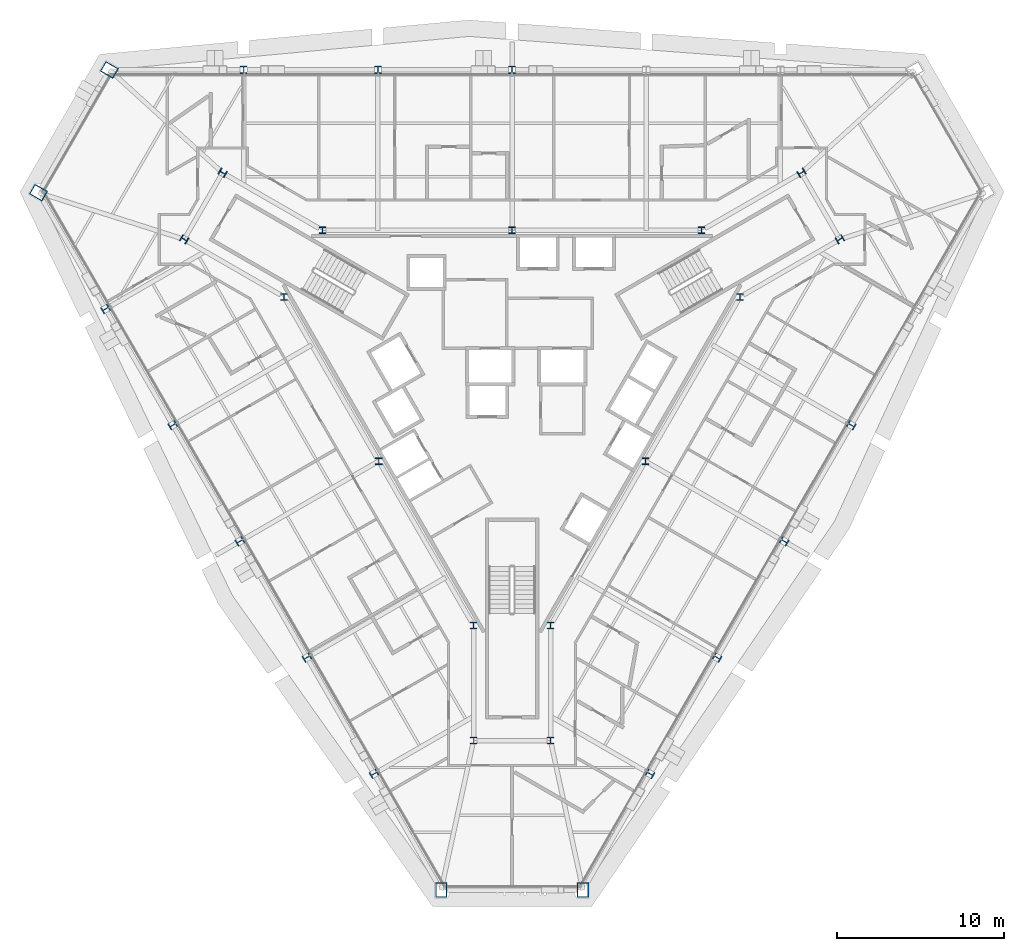
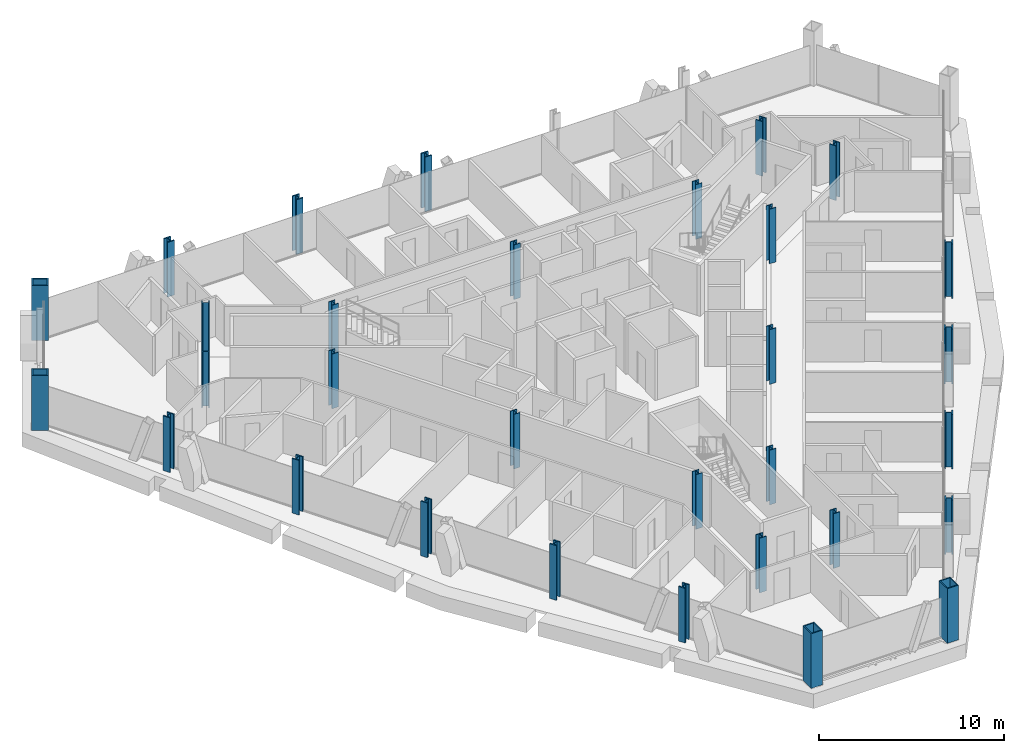
# One storey, part 1 of 16: 31 columns.
"""IFC4 building model written with IfcOpenShell, lengths in metres."""

from ifc_helpers import new_model, si_unit, direction, frame, origin, origin_2d, place, context, subcontext, project, spatial, hollow_rectangle, i_section, extrude, material, material_profile, profile_set, type_object, element, save


model = new_model("IFC4")

# Units and contexts
model_context = context("Model", 3, precision=1e-05, world=origin(), true_north=direction((0.0, 1.0)))
body_context = subcontext(model_context, "Body", "Model", "MODEL_VIEW")
ifc_project = project(units=[si_unit("LENGTHUNIT", "METRE"), si_unit("AREAUNIT", "SQUARE_METRE"), si_unit("VOLUMEUNIT", "CUBIC_METRE"), si_unit("PLANEANGLEUNIT", "RADIAN"), si_unit("MASSUNIT", "GRAM", prefix="KILO")], contexts=[model_context])

# Site, building, storey
site_placement = place(None, origin())
site = spatial("IfcSite", under=ifc_project, at=site_placement, CompositionType="ELEMENT")
building_placement = place(site_placement, origin())
building = spatial("IfcBuilding", under=site, at=building_placement, Name="Verrane Prism Tower", CompositionType="ELEMENT")
storey_placement = place(building_placement, frame((0.0, 0.0, 110.800048828125)))
storey = spatial("IfcBuildingStorey", under=building, at=storey_placement, Name="L26", CompositionType="ELEMENT", Elevation=110.800048828125)

# Columns
ifc_material_1 = material(Name="Steel A992", Category="steel")
ifc_material_profile_1 = material_profile(ifc_material_1, i_section(OverallWidth=0.411376953125, OverallDepth=0.434326171875, WebThickness=0.035888671875, FlangeThickness=0.057373046875, FilletRadius=0.01513671875, at=origin_2d()), Name="W14x311")
ifc_profile_set_1 = profile_set([ifc_material_profile_1], Name="Steel A992")
column_type_1 = type_object("IfcColumnType", Name="Core corner column W14x311", PredefinedType="COLUMN", material=ifc_profile_set_1)
for number, where, z_axis, x_axis, name in (
    (1, (19.60009765625, 8.659912109375, 0.0), (0.0, 0.0, 1.0), (0.5, -0.866025403784, 0.0), "Core corner column CK-NEm L26"),
    (2, (17.300048828125, 12.639892578125, 0.0), (0.0, 0.0, 1.0), (0.5, -0.866025403784, 0.0), "Core corner column CK-NEp L26"),
    (3, (-17.300048828125, 12.639892578125, 0.0), (0.0, 0.0, 1.0), (0.5, 0.866025403784, 0.0), "Core corner column CK-NWm L26"),
    (4, (-19.60009765625, 8.659912109375, 0.0), (0.0, 0.0, 1.0), (0.5, 0.866025403784, 0.0), "Core corner column CK-NWp L26"),
    (5, (-2.300048828125, -21.300048828125, 0.0), (0.0, 0.0, 1.0), (-1.0, 0.0, 0.0), "Core corner column CK-Sm L26"),
    (6, (2.300048828125, -21.300048828125, 0.0), (0.0, 0.0, 1.0), (-1.0, 0.0, 0.0), "Core corner column CK-Sp L26"),
):
    element("IfcColumn", number, at=place(storey_placement, frame(where, z_axis=z_axis, x_axis=x_axis)), inside=storey, type_object=column_type_1, Name=name, PredefinedType="COLUMN", context=body_context, shape_type="SweptSolid", body=[
        extrude(i_section(OverallWidth=0.411376953125, OverallDepth=0.434326171875, WebThickness=0.035888671875, FlangeThickness=0.057373046875, FilletRadius=0.01513671875, at=origin_2d()), origin(), (0.0, 0.0, 1.0), 3.599853515625),
    ])
ifc_material_2 = material(Name="Steel A992", Category="steel")
ifc_material_profile_2 = material_profile(ifc_material_2, i_section(OverallWidth=0.4013671875, OverallDepth=0.398681640625, WebThickness=0.02490234375, FlangeThickness=0.03955078125, FilletRadius=0.01513671875, at=origin_2d()), Name="W14x211")
ifc_profile_set_2 = profile_set([ifc_material_profile_2], Name="Steel A992")
column_type_2 = type_object("IfcColumnType", Name="Core side column W14x211", PredefinedType="COLUMN", material=ifc_profile_set_2)
for number, where, z_axis, x_axis, name in (
    (7, (13.6298828125, 5.219970703125, 0.0), (0.0, 0.0, 1.0), (1.0, 0.0, 0.0), "Core side column CC-NEm L26"),
    (8, (11.330078125, 9.199951171875, 0.0), (0.0, 0.0, 1.0), (1.0, 0.0, 0.0), "Core side column CC-NEp L26"),
    (9, (0.0, 9.199951171875, 0.0), (0.0, 0.0, 1.0), (1.0, 0.0, 0.0), "Core side column CC-N0 L26"),
    (10, (-11.330078125, 9.199951171875, 0.0), (0.0, 0.0, 1.0), (1.0, 0.0, 0.0), "Core side column CC-NWm L26"),
    (11, (-13.6298828125, 5.219970703125, 0.0), (0.0, 0.0, 1.0), (1.0, 0.0, 0.0), "Core side column CC-NWp L26"),
    (12, (-7.969970703125, -4.60009765625, 0.0), (0.0, 0.0, 1.0), (1.0, 0.0, 0.0), "Core side column CC-SW0 L26"),
    (13, (-2.300048828125, -14.419921875, 0.0), (0.0, 0.0, 1.0), (1.0, 0.0, 0.0), "Core side column CC-Sm L26"),
    (14, (2.300048828125, -14.419921875, 0.0), (0.0, 0.0, 1.0), (1.0, 0.0, 0.0), "Core side column CC-Sp L26"),
    (15, (7.969970703125, -4.60009765625, 0.0), (0.0, 0.0, 1.0), (1.0, 0.0, 0.0), "Core side column CC-SE0 L26"),
):
    element("IfcColumn", number, at=place(storey_placement, frame(where, z_axis=z_axis, x_axis=x_axis)), inside=storey, type_object=column_type_2, Name=name, PredefinedType="COLUMN", context=body_context, shape_type="SweptSolid", body=[
        extrude(i_section(OverallWidth=0.4013671875, OverallDepth=0.398681640625, WebThickness=0.02490234375, FlangeThickness=0.03955078125, FilletRadius=0.01513671875, at=origin_2d()), origin(), (0.0, 0.0, 1.0), 3.599853515625),
    ])
ifc_material_3 = material(Name="Steel A572 Grade 50", Category="steel")
ifc_material_profile_3 = material_profile(ifc_material_3, hollow_rectangle(XDim=0.699951171875, YDim=0.89990234375, WallThickness=0.06494140625, at=origin_2d()), Name="BOX 900x700x65")
ifc_profile_set_3 = profile_set([ifc_material_profile_3], Name="Steel A572 Grade 50")
column_type_3 = type_object("IfcColumnType", Name="Megacolumn BOX 900x700x65", PredefinedType="COLUMN", material=ifc_profile_set_3)
for number, where, z_axis, x_axis, name in (
    (16, (-24.070068359375, 18.7900390625, 0.0), (0.0, 0.0, 1.0), (0.5, 0.866025403784, 0.0), "Megacolumn MC-NW.a L26"),
    (17, (-28.31005859375, 11.449951171875, 0.0), (0.0, 0.0, 1.0), (0.5, 0.866025403784, 0.0), "Megacolumn MC-NW.b L26"),
    (18, (-4.239990234375, -30.239990234375, 0.0), (0.0, 0.0, 1.0), (-1.0, 0.0, 0.0), "Megacolumn MC-S.a L26"),
    (19, (4.239990234375, -30.239990234375, 0.0), (0.0, 0.0, 1.0), (-1.0, 0.0, 0.0), "Megacolumn MC-S.b L26"),
):
    element("IfcColumn", number, at=place(storey_placement, frame(where, z_axis=z_axis, x_axis=x_axis)), inside=storey, type_object=column_type_3, Name=name, PredefinedType="COLUMN", context=body_context, shape_type="SweptSolid", body=[
        extrude(hollow_rectangle(XDim=0.699951171875, YDim=0.89990234375, WallThickness=0.06494140625, at=origin_2d()), origin(), (0.0, 0.0, 1.0), 3.599853515625),
    ])
ifc_material_4 = material(Name="Steel A992", Category="steel")
ifc_material_profile_4 = material_profile(ifc_material_4, i_section(OverallWidth=0.424072265625, OverallDepth=0.47509765625, WebThickness=0.0478515625, FlangeThickness=0.0771484375, FilletRadius=0.014892578125, at=origin_2d()), Name="W14x426")
ifc_profile_set_4 = profile_set([ifc_material_profile_4], Name="Steel A992")
column_type_4 = type_object("IfcColumnType", Name="Perimeter column W14x426", PredefinedType="COLUMN", material=ifc_profile_set_4)
for number, where, z_axis, x_axis, name in (
    (20, (0.0, 18.7900390625, 0.0), (0.0, 0.0, 1.0), (1.0, 0.0, 0.0), "Perimeter column PC-N3 L26"),
    (21, (-8.02001953125, 18.7900390625, 0.0), (0.0, 0.0, 1.0), (1.0, 0.0, 0.0), "Perimeter column PC-N4 L26"),
    (22, (-16.0400390625, 18.7900390625, 0.0), (0.0, 0.0, 1.0), (1.0, 0.0, 0.0), "Perimeter column PC-N5 L26"),
    (23, (-24.300048828125, 4.5, 0.0), (0.0, 0.0, 1.0), (-0.5, 0.866025403784, 0.0), "Perimeter column PC-SW1 L26"),
    (24, (-20.280029296875, -2.449951171875, 0.0), (0.0, 0.0, 1.0), (-0.5, 0.866025403784, 0.0), "Perimeter column PC-SW2 L26"),
    (25, (-16.27001953125, -9.389892578125, 0.0), (0.0, 0.0, 1.0), (-0.5, 0.866025403784, 0.0), "Perimeter column PC-SW3 L26"),
    (26, (-12.260009765625, -16.340087890625, 0.0), (0.0, 0.0, 1.0), (-0.5, 0.866025403784, 0.0), "Perimeter column PC-SW4 L26"),
    (27, (-8.25, -23.2900390625, 0.0), (0.0, 0.0, 1.0), (-0.5, 0.866025403784, 0.0), "Perimeter column PC-SW5 L26"),
    (28, (8.25, -23.2900390625, 0.0), (0.0, 0.0, 1.0), (-0.5, -0.866025403784, 0.0), "Perimeter column PC-SE1 L26"),
    (29, (12.260009765625, -16.340087890625, 0.0), (0.0, 0.0, 1.0), (-0.5, -0.866025403784, 0.0), "Perimeter column PC-SE2 L26"),
    (30, (16.27001953125, -9.389892578125, 0.0), (0.0, 0.0, 1.0), (-0.5, -0.866025403784, 0.0), "Perimeter column PC-SE3 L26"),
    (31, (20.280029296875, -2.449951171875, 0.0), (0.0, 0.0, 1.0), (-0.5, -0.866025403784, 0.0), "Perimeter column PC-SE4 L26"),
):
    element("IfcColumn", number, at=place(storey_placement, frame(where, z_axis=z_axis, x_axis=x_axis)), inside=storey, type_object=column_type_4, Name=name, PredefinedType="COLUMN", context=body_context, shape_type="SweptSolid", body=[
        extrude(i_section(OverallWidth=0.424072265625, OverallDepth=0.47509765625, WebThickness=0.0478515625, FlangeThickness=0.0771484375, FilletRadius=0.014892578125, at=origin_2d()), origin(), (0.0, 0.0, 1.0), 3.599853515625),
    ])

save(model, "model.ifc")
